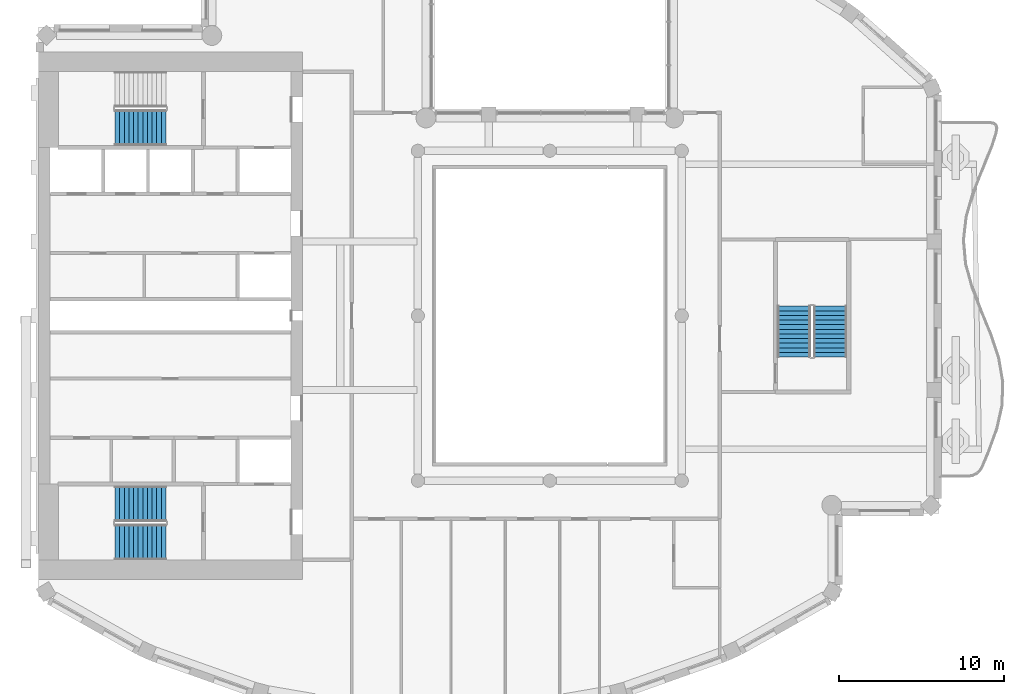
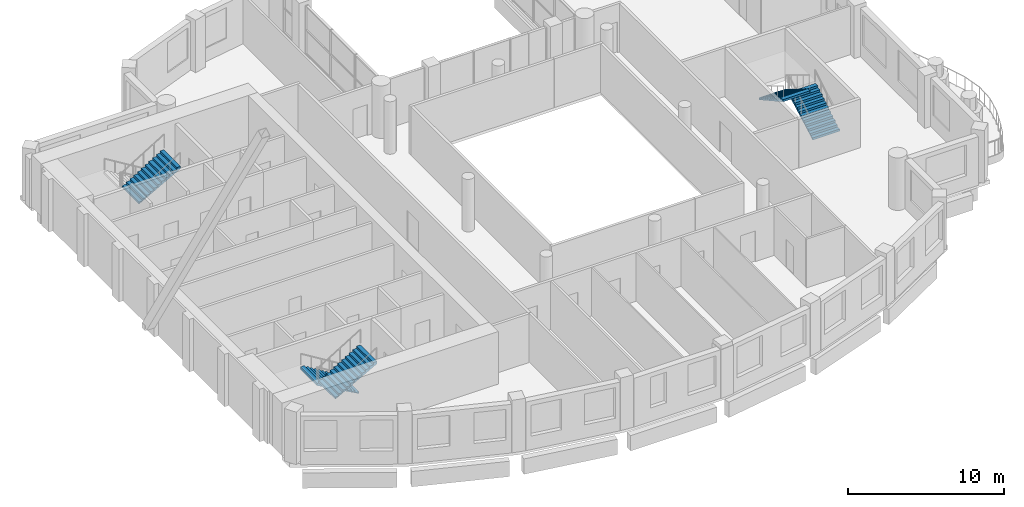
# One storey, part 9 of 15: 5 stair flights, 3 elements without a shape of their own.
"""IFC4 building model written with IfcOpenShell, lengths in metres."""

from ifc_helpers import new_model, si_unit, direction, frame, origin, place, context, subcontext, project, spatial, triangles, material, type_object, element, aggregate, save


model = new_model("IFC4")

# Units and contexts
model_context = context("Model", 3, precision=1e-05, world=origin(), true_north=direction((0.0, 1.0)))
body_context = subcontext(model_context, "Body", "Model", "MODEL_VIEW")
ifc_project = project(units=[si_unit("LENGTHUNIT", "METRE"), si_unit("AREAUNIT", "SQUARE_METRE"), si_unit("VOLUMEUNIT", "CUBIC_METRE"), si_unit("PLANEANGLEUNIT", "RADIAN"), si_unit("MASSUNIT", "GRAM", prefix="KILO")], contexts=[model_context])

# Site, building, storey
site_placement = place(None, origin())
site = spatial("IfcSite", under=ifc_project, at=site_placement, CompositionType="ELEMENT")
building_placement = place(site_placement, origin())
building = spatial("IfcBuilding", under=site, at=building_placement, Name="Cypress Arch Tower", CompositionType="ELEMENT")
storey_placement = place(building_placement, frame((0.0, 0.0, 313.10009765625)))
storey = spatial("IfcBuildingStorey", under=building, at=storey_placement, Name="L71", CompositionType="ELEMENT", Elevation=313.10009765625)

# Stair, stair flights
ifc_material_1 = material(Name="Concrete C40/50", Category="concrete")
stair_type_1 = type_object("IfcStairType", Name="Exit stair ES1708-200", PredefinedType="HALF_TURN_STAIR", material=ifc_material_1)
stair_1_placement = place(storey_placement, origin())
stair_1 = element("IfcStair", 1, at=stair_1_placement, inside=storey, type_object=stair_type_1, Name="L71 Exit stair C", PredefinedType="HALF_TURN_STAIR")
ifc_material_2 = material(Name="Concrete C40/50", Category="concrete")
stair_flight_type_1 = type_object("IfcStairFlightType", Name="Exit stair flight ES1708-200", PredefinedType="STRAIGHT", material=ifc_material_2)
stair_flight_1_placement = place(storey_placement, frame((18.0, -2.5, 0.0), z_axis=(0.0, 0.0, 1.0), x_axis=(0.0, 1.0, 0.0)))
stair_flight_1 = element("IfcStairFlight", 2, at=stair_flight_1_placement, type_object=stair_flight_type_1, Name="C flight 1", NumberOfRisers=12, NumberOfTreads=11, PredefinedType="STRAIGHT", RiserHeight=0.170833333, TreadLength=0.28, context=body_context, shape_type="Tessellation", body=[
    triangles([(0.0, -1.0, 0.0), (0.0, -1.0, 0.1708984375), (0.280029296875, -1.0, 0.1708984375), (0.280029296875, -1.0, 0.341552734375), (0.56005859375, -1.0, 0.341552734375), (0.56005859375, -1.0, 0.512451171875), (0.840087890625, -1.0, 0.512451171875), (0.840087890625, -1.0, 0.683349609375), (1.1201171875, -1.0, 0.683349609375), (1.1201171875, -1.0, 0.854248046875), (1.39990234375, -1.0, 0.854248046875), (1.39990234375, -1.0, 1.02490234375), (1.679931640625, -1.0, 1.02490234375), (1.679931640625, -1.0, 1.19580078125), (1.9599609375, -1.0, 1.19580078125), (1.9599609375, -1.0, 1.36669921875), (2.239990234375, -1.0, 1.36669921875), (2.239990234375, -1.0, 1.53759765625), (2.52001953125, -1.0, 1.53759765625), (2.52001953125, -1.0, 1.708251953125), (2.800048828125, -1.0, 1.708251953125), (2.800048828125, -1.0, 1.879150390625), (3.080078125, -1.0, 1.879150390625), (3.080078125, -1.0, 1.70361328125), (3.080078125, 1.0, 1.70361328125), (3.080078125, 1.0, 1.879150390625), (2.800048828125, 1.0, 1.879150390625), (2.800048828125, 1.0, 1.708251953125), (2.52001953125, 1.0, 1.708251953125), (2.52001953125, 1.0, 1.53759765625), (2.239990234375, 1.0, 1.53759765625), (2.239990234375, 1.0, 1.36669921875), (1.9599609375, 1.0, 1.36669921875), (1.9599609375, 1.0, 1.19580078125), (1.679931640625, 1.0, 1.19580078125), (1.679931640625, 1.0, 1.02490234375), (1.39990234375, 1.0, 1.02490234375), (1.39990234375, 1.0, 0.854248046875), (1.1201171875, 1.0, 0.854248046875), (1.1201171875, 1.0, 0.683349609375), (0.840087890625, 1.0, 0.683349609375), (0.840087890625, 1.0, 0.512451171875), (0.56005859375, 1.0, 0.512451171875), (0.56005859375, 1.0, 0.341552734375), (0.280029296875, 1.0, 0.341552734375), (0.280029296875, 1.0, 0.1708984375), (0.0, 1.0, 0.1708984375), (0.0, 1.0, 0.0), (3.080078125, 0.0, 1.879150390625), (3.080078125, 0.0, 1.70361328125), (2.800048828125, 0.0, 1.879150390625), (2.800048828125, 0.0, 1.708251953125), (2.52001953125, 0.0, 1.708251953125), (2.52001953125, 0.0, 1.53759765625), (2.239990234375, 0.0, 1.53759765625), (2.239990234375, 0.0, 1.36669921875), (1.9599609375, 0.0, 1.36669921875), (1.9599609375, 0.0, 1.19580078125), (1.679931640625, 0.0, 1.19580078125), (1.679931640625, 0.0, 1.02490234375), (1.39990234375, 0.0, 1.02490234375), (1.39990234375, 0.0, 0.854248046875), (1.1201171875, 0.0, 0.854248046875), (1.1201171875, 0.0, 0.683349609375), (0.840087890625, 0.0, 0.683349609375), (0.840087890625, 0.0, 0.512451171875), (0.56005859375, 0.0, 0.512451171875), (0.56005859375, 0.0, 0.341552734375), (0.280029296875, 0.0, 0.341552734375), (0.280029296875, 0.0, 0.1708984375), (0.0, 0.0, 0.1708984375), (0.0, 0.0, 0.0)], [[24, 23, 22], [11, 10, 9], [19, 18, 17], [17, 16, 15], [15, 14, 13], [9, 8, 7], [7, 6, 5], [3, 2, 1], [21, 20, 19], [13, 12, 11], [5, 4, 3], [24, 22, 21], [24, 21, 19], [24, 19, 17], [24, 17, 15], [24, 15, 13], [24, 13, 11], [24, 11, 9], [24, 9, 7], [24, 7, 5], [1, 24, 5], [5, 3, 1], [25, 27, 26], [38, 40, 39], [30, 32, 31], [32, 34, 33], [34, 36, 35], [40, 42, 41], [42, 44, 43], [46, 48, 47], [28, 30, 29], [36, 38, 37], [44, 46, 45], [25, 28, 27], [25, 30, 28], [25, 32, 30], [25, 34, 32], [25, 36, 34], [25, 38, 36], [25, 40, 38], [25, 42, 40], [25, 44, 42], [48, 44, 25], [44, 48, 46], [50, 49, 23], [50, 23, 24], [25, 26, 49], [25, 49, 50], [49, 51, 22], [49, 22, 23], [26, 27, 51], [26, 51, 49], [51, 52, 21], [51, 21, 22], [27, 28, 52], [27, 52, 51], [52, 53, 20], [52, 20, 21], [28, 29, 53], [28, 53, 52], [53, 54, 19], [53, 19, 20], [29, 30, 54], [29, 54, 53], [54, 55, 18], [54, 18, 19], [30, 31, 55], [30, 55, 54], [55, 56, 17], [55, 17, 18], [31, 32, 56], [31, 56, 55], [56, 57, 16], [56, 16, 17], [32, 33, 57], [32, 57, 56], [57, 58, 15], [57, 15, 16], [33, 34, 58], [33, 58, 57], [58, 59, 14], [58, 14, 15], [34, 35, 59], [34, 59, 58], [59, 60, 13], [59, 13, 14], [35, 36, 60], [35, 60, 59], [60, 61, 12], [60, 12, 13], [36, 37, 61], [36, 61, 60], [61, 62, 11], [61, 11, 12], [37, 38, 62], [37, 62, 61], [62, 63, 10], [62, 10, 11], [38, 39, 63], [38, 63, 62], [63, 64, 9], [63, 9, 10], [39, 40, 64], [39, 64, 63], [64, 65, 8], [64, 8, 9], [40, 41, 65], [40, 65, 64], [65, 66, 7], [65, 7, 8], [41, 42, 66], [41, 66, 65], [66, 67, 6], [66, 6, 7], [42, 43, 67], [42, 67, 66], [67, 68, 5], [67, 5, 6], [43, 44, 68], [43, 68, 67], [68, 69, 4], [68, 4, 5], [44, 45, 69], [44, 69, 68], [69, 70, 3], [69, 3, 4], [45, 46, 70], [45, 70, 69], [70, 71, 2], [70, 2, 3], [46, 47, 71], [46, 71, 70], [71, 72, 1], [71, 1, 2], [47, 48, 72], [47, 72, 71], [72, 50, 24], [72, 24, 1], [48, 25, 50], [48, 50, 72]], closed=True),
])
stair_flight_2_placement = place(storey_placement, frame((15.800048828125, 0.580078125, 2.0498046875), z_axis=(0.0, 0.0, 1.0), x_axis=(0.0, -1.0, 0.0)))
stair_flight_2 = element("IfcStairFlight", 3, at=stair_flight_2_placement, type_object=stair_flight_type_1, Name="C flight 2", NumberOfRisers=12, NumberOfTreads=11, PredefinedType="STRAIGHT", RiserHeight=0.170833333, TreadLength=0.28, context=body_context, shape_type="Tessellation", body=[
    triangles([(0.0, -1.0, 0.0), (0.0, -1.0, 0.1708984375), (0.280029296875, -1.0, 0.1708984375), (0.280029296875, -1.0, 0.341552734375), (0.56005859375, -1.0, 0.341552734375), (0.56005859375, -1.0, 0.512451171875), (0.840087890625, -1.0, 0.512451171875), (0.840087890625, -1.0, 0.683349609375), (1.1201171875, -1.0, 0.683349609375), (1.1201171875, -1.0, 0.854248046875), (1.39990234375, -1.0, 0.854248046875), (1.39990234375, -1.0, 1.02490234375), (1.679931640625, -1.0, 1.02490234375), (1.679931640625, -1.0, 1.19580078125), (1.9599609375, -1.0, 1.19580078125), (1.9599609375, -1.0, 1.36669921875), (2.239990234375, -1.0, 1.36669921875), (2.239990234375, -1.0, 1.53759765625), (2.52001953125, -1.0, 1.53759765625), (2.52001953125, -1.0, 1.708251953125), (2.800048828125, -1.0, 1.708251953125), (2.800048828125, -1.0, 1.879150390625), (3.080078125, -1.0, 1.879150390625), (3.080078125, -1.0, 1.70361328125), (3.080078125, 1.0, 1.70361328125), (3.080078125, 1.0, 1.879150390625), (2.800048828125, 1.0, 1.879150390625), (2.800048828125, 1.0, 1.708251953125), (2.52001953125, 1.0, 1.708251953125), (2.52001953125, 1.0, 1.53759765625), (2.239990234375, 1.0, 1.53759765625), (2.239990234375, 1.0, 1.36669921875), (1.9599609375, 1.0, 1.36669921875), (1.9599609375, 1.0, 1.19580078125), (1.679931640625, 1.0, 1.19580078125), (1.679931640625, 1.0, 1.02490234375), (1.39990234375, 1.0, 1.02490234375), (1.39990234375, 1.0, 0.854248046875), (1.1201171875, 1.0, 0.854248046875), (1.1201171875, 1.0, 0.683349609375), (0.840087890625, 1.0, 0.683349609375), (0.840087890625, 1.0, 0.512451171875), (0.56005859375, 1.0, 0.512451171875), (0.56005859375, 1.0, 0.341552734375), (0.280029296875, 1.0, 0.341552734375), (0.280029296875, 1.0, 0.1708984375), (0.0, 1.0, 0.1708984375), (0.0, 1.0, 0.0), (3.080078125, 0.0, 1.879150390625), (3.080078125, 0.0, 1.70361328125), (2.800048828125, 0.0, 1.879150390625), (2.800048828125, 0.0, 1.708251953125), (2.52001953125, 0.0, 1.708251953125), (2.52001953125, 0.0, 1.53759765625), (2.239990234375, 0.0, 1.53759765625), (2.239990234375, 0.0, 1.36669921875), (1.9599609375, 0.0, 1.36669921875), (1.9599609375, 0.0, 1.19580078125), (1.679931640625, 0.0, 1.19580078125), (1.679931640625, 0.0, 1.02490234375), (1.39990234375, 0.0, 1.02490234375), (1.39990234375, 0.0, 0.854248046875), (1.1201171875, 0.0, 0.854248046875), (1.1201171875, 0.0, 0.683349609375), (0.840087890625, 0.0, 0.683349609375), (0.840087890625, 0.0, 0.512451171875), (0.56005859375, 0.0, 0.512451171875), (0.56005859375, 0.0, 0.341552734375), (0.280029296875, 0.0, 0.341552734375), (0.280029296875, 0.0, 0.1708984375), (0.0, 0.0, 0.1708984375), (0.0, 0.0, 0.0)], [[24, 23, 22], [11, 10, 9], [19, 18, 17], [17, 16, 15], [15, 14, 13], [9, 8, 7], [7, 6, 5], [3, 2, 1], [21, 20, 19], [13, 12, 11], [5, 4, 3], [24, 22, 21], [24, 21, 19], [24, 19, 17], [24, 17, 15], [24, 15, 13], [24, 13, 11], [24, 11, 9], [24, 9, 7], [24, 7, 5], [1, 24, 5], [5, 3, 1], [25, 27, 26], [38, 40, 39], [30, 32, 31], [32, 34, 33], [34, 36, 35], [40, 42, 41], [42, 44, 43], [46, 48, 47], [28, 30, 29], [36, 38, 37], [44, 46, 45], [25, 28, 27], [25, 30, 28], [25, 32, 30], [25, 34, 32], [25, 36, 34], [25, 38, 36], [25, 40, 38], [25, 42, 40], [25, 44, 42], [48, 44, 25], [44, 48, 46], [50, 49, 23], [50, 23, 24], [25, 26, 49], [25, 49, 50], [49, 51, 22], [49, 22, 23], [26, 27, 51], [26, 51, 49], [51, 52, 21], [51, 21, 22], [27, 28, 52], [27, 52, 51], [52, 53, 20], [52, 20, 21], [28, 29, 53], [28, 53, 52], [53, 54, 19], [53, 19, 20], [29, 30, 54], [29, 54, 53], [54, 55, 18], [54, 18, 19], [30, 31, 55], [30, 55, 54], [55, 56, 17], [55, 17, 18], [31, 32, 56], [31, 56, 55], [56, 57, 16], [56, 16, 17], [32, 33, 57], [32, 57, 56], [57, 58, 15], [57, 15, 16], [33, 34, 58], [33, 58, 57], [58, 59, 14], [58, 14, 15], [34, 35, 59], [34, 59, 58], [59, 60, 13], [59, 13, 14], [35, 36, 60], [35, 60, 59], [60, 61, 12], [60, 12, 13], [36, 37, 61], [36, 61, 60], [61, 62, 11], [61, 11, 12], [37, 38, 62], [37, 62, 61], [62, 63, 10], [62, 10, 11], [38, 39, 63], [38, 63, 62], [63, 64, 9], [63, 9, 10], [39, 40, 64], [39, 64, 63], [64, 65, 8], [64, 8, 9], [40, 41, 65], [40, 65, 64], [65, 66, 7], [65, 7, 8], [41, 42, 66], [41, 66, 65], [66, 67, 6], [66, 6, 7], [42, 43, 67], [42, 67, 66], [67, 68, 5], [67, 5, 6], [43, 44, 68], [43, 68, 67], [68, 69, 4], [68, 4, 5], [44, 45, 69], [44, 69, 68], [69, 70, 3], [69, 3, 4], [45, 46, 70], [45, 70, 69], [70, 71, 2], [70, 2, 3], [46, 47, 71], [46, 71, 70], [71, 72, 1], [71, 1, 2], [47, 48, 72], [47, 72, 71], [72, 50, 24], [72, 24, 1], [48, 25, 50], [48, 50, 72]], closed=True),
])
aggregate(stair_1, [stair_flight_1, stair_flight_2])

ifc_material_3 = material(Name="Concrete C40/50", Category="concrete")
stair_type_2 = type_object("IfcStairType", Name="Exit stair ES1708-215", PredefinedType="HALF_TURN_STAIR", material=ifc_material_3)
stair_2_placement = place(storey_placement, origin())
stair_2 = element("IfcStair", 4, at=stair_2_placement, inside=storey, type_object=stair_type_2, Name="L71 Exit stair A", PredefinedType="HALF_TURN_STAIR")
ifc_material_4 = material(Name="Concrete C40/50", Category="concrete")
stair_flight_type_2 = type_object("IfcStairFlightType", Name="Exit stair flight ES1708-215", PredefinedType="STRAIGHT", material=ifc_material_4)
stair_flight_3_placement = place(storey_placement, frame((-22.27490234375, -11.39990234375, 0.0), z_axis=(0.0, 0.0, 1.0), x_axis=(-1.0, 0.0, 0.0)))
stair_flight_3 = element("IfcStairFlight", 5, at=stair_flight_3_placement, type_object=stair_flight_type_2, Name="A flight 1", NumberOfRisers=12, NumberOfTreads=11, PredefinedType="STRAIGHT", RiserHeight=0.170833333, TreadLength=0.28, context=body_context, shape_type="Tessellation", body=[
    triangles([(0.0, -1.074951171875, 0.0), (0.000244140625, -1.074951171875, 0.01904296875), (0.000244140625, -1.074951171875, 0.0380859375), (0.00048828125, -1.074951171875, 0.056884765625), (0.00048828125, -1.074951171875, 0.075927734375), (0.00048828125, -1.074951171875, 0.094970703125), (0.00048828125, -1.074951171875, 0.114013671875), (0.000244140625, -1.074951171875, 0.1328125), (0.000244140625, -1.074951171875, 0.15185546875), (0.0, -1.074951171875, 0.1708984375), (0.280029296875, -1.074951171875, 0.1708984375), (0.280029296875, -1.074951171875, 0.341552734375), (0.56005859375, -1.074951171875, 0.341552734375), (0.56005859375, -1.074951171875, 0.512451171875), (0.840087890625, -1.074951171875, 0.512451171875), (0.840087890625, -1.074951171875, 0.683349609375), (1.1201171875, -1.074951171875, 0.683349609375), (1.1201171875, -1.074951171875, 0.854248046875), (1.39990234375, -1.074951171875, 0.854248046875), (1.39990234375, -1.074951171875, 1.02490234375), (1.679931640625, -1.074951171875, 1.02490234375), (1.679931640625, -1.074951171875, 1.19580078125), (1.9599609375, -1.074951171875, 1.19580078125), (1.9599609375, -1.074951171875, 1.36669921875), (2.239990234375, -1.074951171875, 1.36669921875), (2.239990234375, -1.074951171875, 1.53759765625), (2.52001953125, -1.074951171875, 1.53759765625), (2.52001953125, -1.074951171875, 1.708251953125), (2.800048828125, -1.074951171875, 1.708251953125), (2.800048828125, -1.074951171875, 1.879150390625), (3.080078125, -1.074951171875, 1.879150390625), (3.079833984375, -1.074951171875, 1.859619140625), (3.079833984375, -1.074951171875, 1.840087890625), (3.07958984375, -1.074951171875, 1.820556640625), (3.07958984375, -1.074951171875, 1.801025390625), (3.07958984375, -1.074951171875, 1.78173828125), (3.07958984375, -1.074951171875, 1.76220703125), (3.079833984375, -1.074951171875, 1.74267578125), (3.079833984375, -1.074951171875, 1.72314453125), (3.080078125, -1.074951171875, 1.70361328125), (3.080078125, 1.074951171875, 1.70361328125), (3.079833984375, 1.074951171875, 1.72314453125), (3.079833984375, 1.074951171875, 1.74267578125), (3.07958984375, 1.074951171875, 1.76220703125), (3.07958984375, 1.074951171875, 1.78173828125), (3.07958984375, 1.074951171875, 1.801025390625), (3.07958984375, 1.074951171875, 1.820556640625), (3.079833984375, 1.074951171875, 1.840087890625), (3.079833984375, 1.074951171875, 1.859619140625), (3.080078125, 1.074951171875, 1.879150390625), (2.800048828125, 1.074951171875, 1.879150390625), (2.800048828125, 1.074951171875, 1.708251953125), (2.52001953125, 1.074951171875, 1.708251953125), (2.52001953125, 1.074951171875, 1.53759765625), (2.239990234375, 1.074951171875, 1.53759765625), (2.239990234375, 1.074951171875, 1.36669921875), (1.9599609375, 1.074951171875, 1.36669921875), (1.9599609375, 1.074951171875, 1.19580078125), (1.679931640625, 1.074951171875, 1.19580078125), (1.679931640625, 1.074951171875, 1.02490234375), (1.39990234375, 1.074951171875, 1.02490234375), (1.39990234375, 1.074951171875, 0.854248046875), (1.1201171875, 1.074951171875, 0.854248046875), (1.1201171875, 1.074951171875, 0.683349609375), (0.840087890625, 1.074951171875, 0.683349609375), (0.840087890625, 1.074951171875, 0.512451171875), (0.56005859375, 1.074951171875, 0.512451171875), (0.56005859375, 1.074951171875, 0.341552734375), (0.280029296875, 1.074951171875, 0.341552734375), (0.280029296875, 1.074951171875, 0.1708984375), (0.0, 1.074951171875, 0.1708984375), (0.000244140625, 1.074951171875, 0.15185546875), (0.000244140625, 1.074951171875, 0.1328125), (0.00048828125, 1.074951171875, 0.114013671875), (0.00048828125, 1.074951171875, 0.094970703125), (0.00048828125, 1.074951171875, 0.075927734375), (0.00048828125, 1.074951171875, 0.056884765625), (0.000244140625, 1.074951171875, 0.0380859375), (0.000244140625, 1.074951171875, 0.01904296875), (0.0, 1.074951171875, 0.0)], [[40, 39, 30], [39, 38, 30], [38, 37, 30], [37, 36, 30], [36, 35, 30], [35, 34, 30], [34, 33, 30], [33, 32, 30], [32, 31, 30], [19, 18, 17], [27, 26, 25], [25, 24, 23], [23, 22, 21], [17, 16, 15], [15, 14, 13], [10, 9, 11], [9, 8, 11], [8, 7, 11], [7, 6, 11], [6, 5, 11], [5, 4, 11], [4, 3, 11], [3, 2, 11], [2, 1, 11], [29, 28, 27], [21, 20, 19], [13, 12, 11], [40, 30, 29], [40, 29, 27], [40, 27, 25], [40, 25, 23], [40, 23, 21], [40, 21, 19], [40, 19, 17], [40, 17, 15], [40, 15, 13], [1, 40, 13], [13, 11, 1], [41, 51, 42], [42, 51, 43], [43, 51, 44], [44, 51, 45], [45, 51, 46], [46, 51, 47], [47, 51, 48], [48, 51, 49], [49, 51, 50], [62, 64, 63], [54, 56, 55], [56, 58, 57], [58, 60, 59], [64, 66, 65], [66, 68, 67], [71, 70, 72], [72, 70, 73], [73, 70, 74], [74, 70, 75], [75, 70, 76], [76, 70, 77], [77, 70, 78], [78, 70, 79], [79, 70, 80], [52, 54, 53], [60, 62, 61], [68, 70, 69], [41, 52, 51], [41, 54, 52], [41, 56, 54], [41, 58, 56], [41, 60, 58], [41, 62, 60], [41, 64, 62], [41, 66, 64], [41, 68, 66], [80, 68, 41], [68, 80, 70], [41, 42, 39], [41, 39, 40], [42, 43, 38], [42, 38, 39], [43, 44, 37], [43, 37, 38], [44, 45, 36], [44, 36, 37], [45, 46, 35], [45, 35, 36], [46, 47, 34], [46, 34, 35], [47, 48, 33], [47, 33, 34], [48, 49, 32], [48, 32, 33], [49, 50, 31], [49, 31, 32], [50, 51, 30], [50, 30, 31], [51, 52, 29], [51, 29, 30], [52, 53, 28], [52, 28, 29], [53, 54, 27], [53, 27, 28], [54, 55, 26], [54, 26, 27], [55, 56, 25], [55, 25, 26], [56, 57, 24], [56, 24, 25], [57, 58, 23], [57, 23, 24], [58, 59, 22], [58, 22, 23], [59, 60, 21], [59, 21, 22], [60, 61, 20], [60, 20, 21], [61, 62, 19], [61, 19, 20], [62, 63, 18], [62, 18, 19], [63, 64, 17], [63, 17, 18], [64, 65, 16], [64, 16, 17], [65, 66, 15], [65, 15, 16], [66, 67, 14], [66, 14, 15], [67, 68, 13], [67, 13, 14], [68, 69, 12], [68, 12, 13], [69, 70, 11], [69, 11, 12], [70, 71, 10], [70, 10, 11], [71, 72, 9], [71, 9, 10], [72, 73, 8], [72, 8, 9], [73, 74, 7], [73, 7, 8], [74, 75, 6], [74, 6, 7], [75, 76, 5], [75, 5, 6], [76, 77, 4], [76, 4, 5], [77, 78, 3], [77, 3, 4], [78, 79, 2], [78, 2, 3], [79, 80, 1], [79, 1, 2], [80, 41, 40], [80, 40, 1]], closed=True),
])
stair_flight_4_placement = place(storey_placement, frame((-25.35498046875, -13.72509765625, 2.0498046875), z_axis=(0.0, 0.0, 1.0), x_axis=(1.0, 0.0, 0.0)))
stair_flight_4 = element("IfcStairFlight", 6, at=stair_flight_4_placement, type_object=stair_flight_type_2, Name="A flight 2", NumberOfRisers=12, NumberOfTreads=11, PredefinedType="STRAIGHT", RiserHeight=0.170833333, TreadLength=0.28, context=body_context, shape_type="Tessellation", body=[
    triangles([(0.0, -1.074951171875, 0.0), (0.000244140625, -1.074951171875, 0.01904296875), (0.000244140625, -1.074951171875, 0.0380859375), (0.00048828125, -1.074951171875, 0.056884765625), (0.00048828125, -1.074951171875, 0.075927734375), (0.00048828125, -1.074951171875, 0.094970703125), (0.00048828125, -1.074951171875, 0.114013671875), (0.000244140625, -1.074951171875, 0.1328125), (0.000244140625, -1.074951171875, 0.15185546875), (0.0, -1.074951171875, 0.1708984375), (0.280029296875, -1.074951171875, 0.1708984375), (0.280029296875, -1.074951171875, 0.341552734375), (0.56005859375, -1.074951171875, 0.341552734375), (0.56005859375, -1.074951171875, 0.512451171875), (0.840087890625, -1.074951171875, 0.512451171875), (0.840087890625, -1.074951171875, 0.683349609375), (1.1201171875, -1.074951171875, 0.683349609375), (1.1201171875, -1.074951171875, 0.854248046875), (1.39990234375, -1.074951171875, 0.854248046875), (1.39990234375, -1.074951171875, 1.02490234375), (1.679931640625, -1.074951171875, 1.02490234375), (1.679931640625, -1.074951171875, 1.19580078125), (1.9599609375, -1.074951171875, 1.19580078125), (1.9599609375, -1.074951171875, 1.36669921875), (2.239990234375, -1.074951171875, 1.36669921875), (2.239990234375, -1.074951171875, 1.53759765625), (2.52001953125, -1.074951171875, 1.53759765625), (2.52001953125, -1.074951171875, 1.708251953125), (2.800048828125, -1.074951171875, 1.708251953125), (2.800048828125, -1.074951171875, 1.879150390625), (3.080078125, -1.074951171875, 1.879150390625), (3.079833984375, -1.074951171875, 1.859619140625), (3.079833984375, -1.074951171875, 1.840087890625), (3.07958984375, -1.074951171875, 1.820556640625), (3.07958984375, -1.074951171875, 1.801025390625), (3.07958984375, -1.074951171875, 1.78173828125), (3.07958984375, -1.074951171875, 1.76220703125), (3.079833984375, -1.074951171875, 1.74267578125), (3.079833984375, -1.074951171875, 1.72314453125), (3.080078125, -1.074951171875, 1.70361328125), (3.080078125, 1.074951171875, 1.70361328125), (3.079833984375, 1.074951171875, 1.72314453125), (3.079833984375, 1.074951171875, 1.74267578125), (3.07958984375, 1.074951171875, 1.76220703125), (3.07958984375, 1.074951171875, 1.78173828125), (3.07958984375, 1.074951171875, 1.801025390625), (3.07958984375, 1.074951171875, 1.820556640625), (3.079833984375, 1.074951171875, 1.840087890625), (3.079833984375, 1.074951171875, 1.859619140625), (3.080078125, 1.074951171875, 1.879150390625), (2.800048828125, 1.074951171875, 1.879150390625), (2.800048828125, 1.074951171875, 1.708251953125), (2.52001953125, 1.074951171875, 1.708251953125), (2.52001953125, 1.074951171875, 1.53759765625), (2.239990234375, 1.074951171875, 1.53759765625), (2.239990234375, 1.074951171875, 1.36669921875), (1.9599609375, 1.074951171875, 1.36669921875), (1.9599609375, 1.074951171875, 1.19580078125), (1.679931640625, 1.074951171875, 1.19580078125), (1.679931640625, 1.074951171875, 1.02490234375), (1.39990234375, 1.074951171875, 1.02490234375), (1.39990234375, 1.074951171875, 0.854248046875), (1.1201171875, 1.074951171875, 0.854248046875), (1.1201171875, 1.074951171875, 0.683349609375), (0.840087890625, 1.074951171875, 0.683349609375), (0.840087890625, 1.074951171875, 0.512451171875), (0.56005859375, 1.074951171875, 0.512451171875), (0.56005859375, 1.074951171875, 0.341552734375), (0.280029296875, 1.074951171875, 0.341552734375), (0.280029296875, 1.074951171875, 0.1708984375), (0.0, 1.074951171875, 0.1708984375), (0.000244140625, 1.074951171875, 0.15185546875), (0.000244140625, 1.074951171875, 0.1328125), (0.00048828125, 1.074951171875, 0.114013671875), (0.00048828125, 1.074951171875, 0.094970703125), (0.00048828125, 1.074951171875, 0.075927734375), (0.00048828125, 1.074951171875, 0.056884765625), (0.000244140625, 1.074951171875, 0.0380859375), (0.000244140625, 1.074951171875, 0.01904296875), (0.0, 1.074951171875, 0.0)], [[40, 39, 30], [39, 38, 30], [38, 37, 30], [37, 36, 30], [36, 35, 30], [35, 34, 30], [34, 33, 30], [33, 32, 30], [32, 31, 30], [19, 18, 17], [27, 26, 25], [25, 24, 23], [23, 22, 21], [17, 16, 15], [15, 14, 13], [10, 9, 11], [9, 8, 11], [8, 7, 11], [7, 6, 11], [6, 5, 11], [5, 4, 11], [4, 3, 11], [3, 2, 11], [2, 1, 11], [29, 28, 27], [21, 20, 19], [13, 12, 11], [40, 30, 29], [40, 29, 27], [40, 27, 25], [40, 25, 23], [40, 23, 21], [40, 21, 19], [40, 19, 17], [40, 17, 15], [40, 15, 13], [1, 40, 13], [13, 11, 1], [41, 51, 42], [42, 51, 43], [43, 51, 44], [44, 51, 45], [45, 51, 46], [46, 51, 47], [47, 51, 48], [48, 51, 49], [49, 51, 50], [62, 64, 63], [54, 56, 55], [56, 58, 57], [58, 60, 59], [64, 66, 65], [66, 68, 67], [71, 70, 72], [72, 70, 73], [73, 70, 74], [74, 70, 75], [75, 70, 76], [76, 70, 77], [77, 70, 78], [78, 70, 79], [79, 70, 80], [52, 54, 53], [60, 62, 61], [68, 70, 69], [41, 52, 51], [41, 54, 52], [41, 56, 54], [41, 58, 56], [41, 60, 58], [41, 62, 60], [41, 64, 62], [41, 66, 64], [41, 68, 66], [80, 68, 41], [68, 80, 70], [41, 42, 39], [41, 39, 40], [42, 43, 38], [42, 38, 39], [43, 44, 37], [43, 37, 38], [44, 45, 36], [44, 36, 37], [45, 46, 35], [45, 35, 36], [46, 47, 34], [46, 34, 35], [47, 48, 33], [47, 33, 34], [48, 49, 32], [48, 32, 33], [49, 50, 31], [49, 31, 32], [50, 51, 30], [50, 30, 31], [51, 52, 29], [51, 29, 30], [52, 53, 28], [52, 28, 29], [53, 54, 27], [53, 27, 28], [54, 55, 26], [54, 26, 27], [55, 56, 25], [55, 25, 26], [56, 57, 24], [56, 24, 25], [57, 58, 23], [57, 23, 24], [58, 59, 22], [58, 22, 23], [59, 60, 21], [59, 21, 22], [60, 61, 20], [60, 20, 21], [61, 62, 19], [61, 19, 20], [62, 63, 18], [62, 18, 19], [63, 64, 17], [63, 17, 18], [64, 65, 16], [64, 16, 17], [65, 66, 15], [65, 15, 16], [66, 67, 14], [66, 14, 15], [67, 68, 13], [67, 13, 14], [68, 69, 12], [68, 12, 13], [69, 70, 11], [69, 11, 12], [70, 71, 10], [70, 10, 11], [71, 72, 9], [71, 9, 10], [72, 73, 8], [72, 8, 9], [73, 74, 7], [73, 7, 8], [74, 75, 6], [74, 6, 7], [75, 76, 5], [75, 5, 6], [76, 77, 4], [76, 4, 5], [77, 78, 3], [77, 3, 4], [78, 79, 2], [78, 2, 3], [79, 80, 1], [79, 1, 2], [80, 41, 40], [80, 40, 1]], closed=True),
])
aggregate(stair_2, [stair_flight_3, stair_flight_4])

# Stair, stair flight
stair_3_placement = place(storey_placement, origin())
stair_3 = element("IfcStair", 7, at=stair_3_placement, inside=storey, type_object=stair_type_2, Name="L71 Exit stair B", PredefinedType="HALF_TURN_STAIR")
stair_flight_5_placement = place(storey_placement, frame((-25.35498046875, 11.39990234375, 2.0498046875), z_axis=(0.0, 0.0, 1.0), x_axis=(1.0, 0.0, 0.0)))
stair_flight_5 = element("IfcStairFlight", 8, at=stair_flight_5_placement, type_object=stair_flight_type_2, Name="B flight 2", NumberOfRisers=12, NumberOfTreads=11, PredefinedType="STRAIGHT", RiserHeight=0.170833333, TreadLength=0.28, context=body_context, shape_type="Tessellation", body=[
    triangles([(0.0, -1.074951171875, 0.0), (0.000244140625, -1.074951171875, 0.01904296875), (0.000244140625, -1.074951171875, 0.0380859375), (0.00048828125, -1.074951171875, 0.056884765625), (0.00048828125, -1.074951171875, 0.075927734375), (0.00048828125, -1.074951171875, 0.094970703125), (0.00048828125, -1.074951171875, 0.114013671875), (0.000244140625, -1.074951171875, 0.1328125), (0.000244140625, -1.074951171875, 0.15185546875), (0.0, -1.074951171875, 0.1708984375), (0.280029296875, -1.074951171875, 0.1708984375), (0.280029296875, -1.074951171875, 0.341552734375), (0.56005859375, -1.074951171875, 0.341552734375), (0.56005859375, -1.074951171875, 0.512451171875), (0.840087890625, -1.074951171875, 0.512451171875), (0.840087890625, -1.074951171875, 0.683349609375), (1.1201171875, -1.074951171875, 0.683349609375), (1.1201171875, -1.074951171875, 0.854248046875), (1.39990234375, -1.074951171875, 0.854248046875), (1.39990234375, -1.074951171875, 1.02490234375), (1.679931640625, -1.074951171875, 1.02490234375), (1.679931640625, -1.074951171875, 1.19580078125), (1.9599609375, -1.074951171875, 1.19580078125), (1.9599609375, -1.074951171875, 1.36669921875), (2.239990234375, -1.074951171875, 1.36669921875), (2.239990234375, -1.074951171875, 1.53759765625), (2.52001953125, -1.074951171875, 1.53759765625), (2.52001953125, -1.074951171875, 1.708251953125), (2.800048828125, -1.074951171875, 1.708251953125), (2.800048828125, -1.074951171875, 1.879150390625), (3.080078125, -1.074951171875, 1.879150390625), (3.079833984375, -1.074951171875, 1.859619140625), (3.079833984375, -1.074951171875, 1.840087890625), (3.07958984375, -1.074951171875, 1.820556640625), (3.07958984375, -1.074951171875, 1.801025390625), (3.07958984375, -1.074951171875, 1.78173828125), (3.07958984375, -1.074951171875, 1.76220703125), (3.079833984375, -1.074951171875, 1.74267578125), (3.079833984375, -1.074951171875, 1.72314453125), (3.080078125, -1.074951171875, 1.70361328125), (3.080078125, 1.074951171875, 1.70361328125), (3.079833984375, 1.074951171875, 1.72314453125), (3.079833984375, 1.074951171875, 1.74267578125), (3.07958984375, 1.074951171875, 1.76220703125), (3.07958984375, 1.074951171875, 1.78173828125), (3.07958984375, 1.074951171875, 1.801025390625), (3.07958984375, 1.074951171875, 1.820556640625), (3.079833984375, 1.074951171875, 1.840087890625), (3.079833984375, 1.074951171875, 1.859619140625), (3.080078125, 1.074951171875, 1.879150390625), (2.800048828125, 1.074951171875, 1.879150390625), (2.800048828125, 1.074951171875, 1.708251953125), (2.52001953125, 1.074951171875, 1.708251953125), (2.52001953125, 1.074951171875, 1.53759765625), (2.239990234375, 1.074951171875, 1.53759765625), (2.239990234375, 1.074951171875, 1.36669921875), (1.9599609375, 1.074951171875, 1.36669921875), (1.9599609375, 1.074951171875, 1.19580078125), (1.679931640625, 1.074951171875, 1.19580078125), (1.679931640625, 1.074951171875, 1.02490234375), (1.39990234375, 1.074951171875, 1.02490234375), (1.39990234375, 1.074951171875, 0.854248046875), (1.1201171875, 1.074951171875, 0.854248046875), (1.1201171875, 1.074951171875, 0.683349609375), (0.840087890625, 1.074951171875, 0.683349609375), (0.840087890625, 1.074951171875, 0.512451171875), (0.56005859375, 1.074951171875, 0.512451171875), (0.56005859375, 1.074951171875, 0.341552734375), (0.280029296875, 1.074951171875, 0.341552734375), (0.280029296875, 1.074951171875, 0.1708984375), (0.0, 1.074951171875, 0.1708984375), (0.000244140625, 1.074951171875, 0.15185546875), (0.000244140625, 1.074951171875, 0.1328125), (0.00048828125, 1.074951171875, 0.114013671875), (0.00048828125, 1.074951171875, 0.094970703125), (0.00048828125, 1.074951171875, 0.075927734375), (0.00048828125, 1.074951171875, 0.056884765625), (0.000244140625, 1.074951171875, 0.0380859375), (0.000244140625, 1.074951171875, 0.01904296875), (0.0, 1.074951171875, 0.0)], [[40, 39, 30], [39, 38, 30], [38, 37, 30], [37, 36, 30], [36, 35, 30], [35, 34, 30], [34, 33, 30], [33, 32, 30], [32, 31, 30], [19, 18, 17], [27, 26, 25], [25, 24, 23], [23, 22, 21], [17, 16, 15], [15, 14, 13], [10, 9, 11], [9, 8, 11], [8, 7, 11], [7, 6, 11], [6, 5, 11], [5, 4, 11], [4, 3, 11], [3, 2, 11], [2, 1, 11], [29, 28, 27], [21, 20, 19], [13, 12, 11], [40, 30, 29], [40, 29, 27], [40, 27, 25], [40, 25, 23], [40, 23, 21], [40, 21, 19], [40, 19, 17], [40, 17, 15], [40, 15, 13], [1, 40, 13], [13, 11, 1], [41, 51, 42], [42, 51, 43], [43, 51, 44], [44, 51, 45], [45, 51, 46], [46, 51, 47], [47, 51, 48], [48, 51, 49], [49, 51, 50], [62, 64, 63], [54, 56, 55], [56, 58, 57], [58, 60, 59], [64, 66, 65], [66, 68, 67], [71, 70, 72], [72, 70, 73], [73, 70, 74], [74, 70, 75], [75, 70, 76], [76, 70, 77], [77, 70, 78], [78, 70, 79], [79, 70, 80], [52, 54, 53], [60, 62, 61], [68, 70, 69], [41, 52, 51], [41, 54, 52], [41, 56, 54], [41, 58, 56], [41, 60, 58], [41, 62, 60], [41, 64, 62], [41, 66, 64], [41, 68, 66], [80, 68, 41], [68, 80, 70], [41, 42, 39], [41, 39, 40], [42, 43, 38], [42, 38, 39], [43, 44, 37], [43, 37, 38], [44, 45, 36], [44, 36, 37], [45, 46, 35], [45, 35, 36], [46, 47, 34], [46, 34, 35], [47, 48, 33], [47, 33, 34], [48, 49, 32], [48, 32, 33], [49, 50, 31], [49, 31, 32], [50, 51, 30], [50, 30, 31], [51, 52, 29], [51, 29, 30], [52, 53, 28], [52, 28, 29], [53, 54, 27], [53, 27, 28], [54, 55, 26], [54, 26, 27], [55, 56, 25], [55, 25, 26], [56, 57, 24], [56, 24, 25], [57, 58, 23], [57, 23, 24], [58, 59, 22], [58, 22, 23], [59, 60, 21], [59, 21, 22], [60, 61, 20], [60, 20, 21], [61, 62, 19], [61, 19, 20], [62, 63, 18], [62, 18, 19], [63, 64, 17], [63, 17, 18], [64, 65, 16], [64, 16, 17], [65, 66, 15], [65, 15, 16], [66, 67, 14], [66, 14, 15], [67, 68, 13], [67, 13, 14], [68, 69, 12], [68, 12, 13], [69, 70, 11], [69, 11, 12], [70, 71, 10], [70, 10, 11], [71, 72, 9], [71, 9, 10], [72, 73, 8], [72, 8, 9], [73, 74, 7], [73, 7, 8], [74, 75, 6], [74, 6, 7], [75, 76, 5], [75, 5, 6], [76, 77, 4], [76, 4, 5], [77, 78, 3], [77, 3, 4], [78, 79, 2], [78, 2, 3], [79, 80, 1], [79, 1, 2], [80, 41, 40], [80, 40, 1]], closed=True),
])
aggregate(stair_3, [stair_flight_5])

save(model, "model.ifc")
